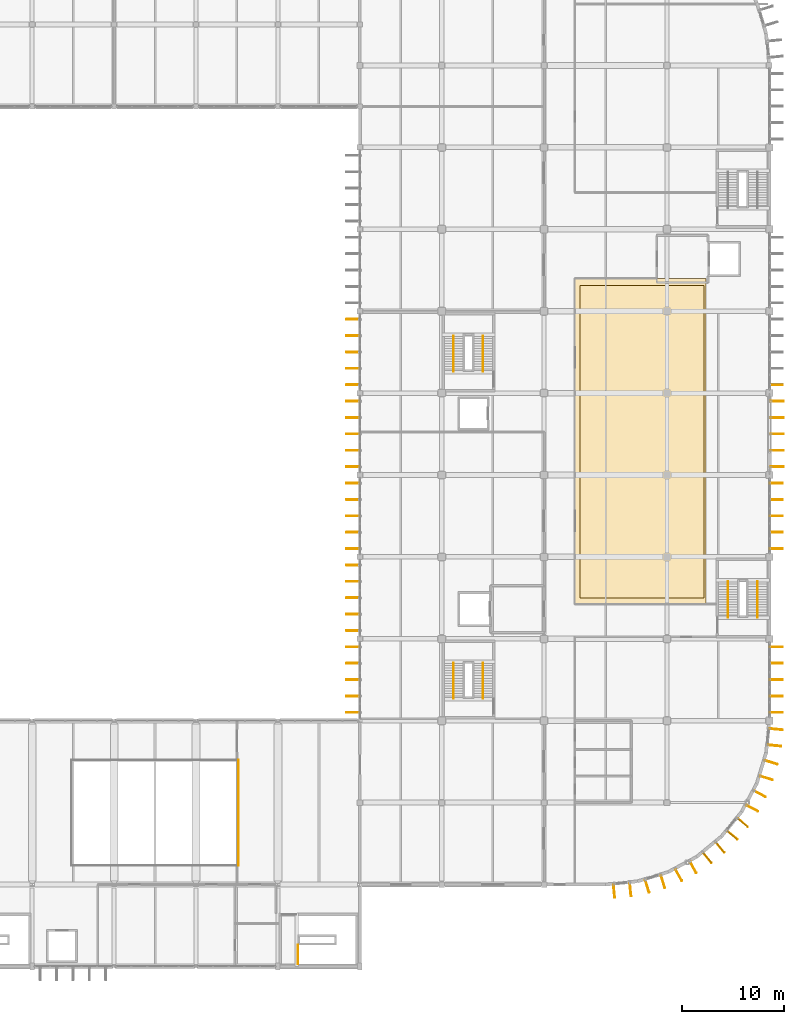
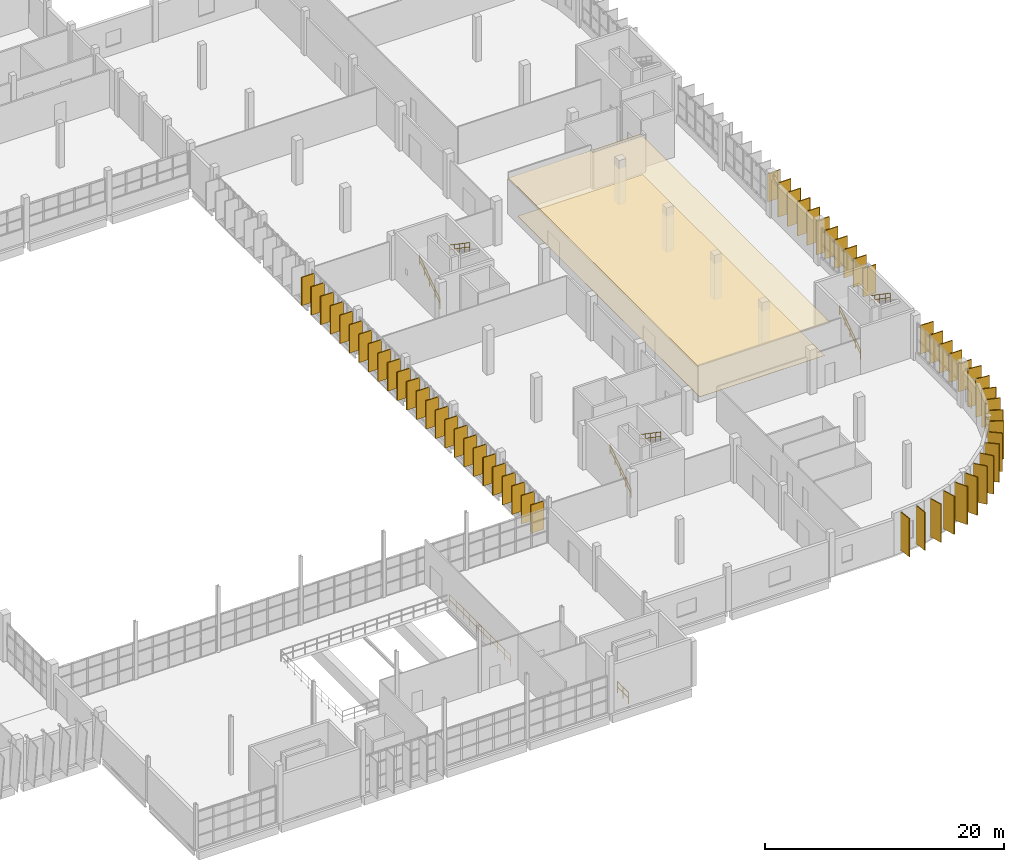
# One storey, part 92 of 93: 58 coverings, 57 shading devices, 8 railings.
"""IFC4 building model written with IfcOpenShell, lengths in metres."""

from ifc_helpers import new_model, si_unit, direction, frame, origin, origin_2d, place, context, subcontext, project, spatial, polyline, rectangle, circle, outline, extrude, material, layer, layer_set, type_object, element, save


model = new_model("IFC4")

# Units and contexts
model_context = context("Model", 3, precision=1e-05, world=origin(), true_north=direction((0.0, 1.0)))
body_context = subcontext(model_context, "Body", "Model", "MODEL_VIEW")
ifc_project = project(units=[si_unit("LENGTHUNIT", "METRE"), si_unit("AREAUNIT", "SQUARE_METRE"), si_unit("VOLUMEUNIT", "CUBIC_METRE"), si_unit("PLANEANGLEUNIT", "RADIAN"), si_unit("MASSUNIT", "GRAM", prefix="KILO")], contexts=[model_context])

# Site, building, storey
site_placement = place(None, origin())
site = spatial("IfcSite", under=ifc_project, at=site_placement, CompositionType="ELEMENT")
building_placement = place(site_placement, origin())
building = spatial("IfcBuilding", under=site, at=building_placement, Name="Drelvana Railside Aquatics Centre", CompositionType="ELEMENT")
storey_placement = place(building_placement, frame((0.0, 0.0, 5.39990234375)))
storey = spatial("IfcBuildingStorey", under=building, at=storey_placement, Name="L01", CompositionType="ELEMENT", Elevation=5.39990234375)

# Coverings
ifc_material_1 = material(Name="Moisture-resistant perforated acoustic timber ceiling", Category="wood")
ifc_layer_1 = layer(ifc_material_1, 0.034912109375, Name="Moisture-resistant perforated acoustic timber ceiling")
ifc_layer_set_1 = layer_set([ifc_layer_1], Name="Moisture-resistant perforated acoustic timber ceiling")
covering_type_1 = type_object("IfcCoveringType", Name="COV-CEIL-ACOUSTIC", PredefinedType="CEILING", material=ifc_layer_set_1)
covering_1_placement = place(storey_placement, frame((0.0, 0.0, 3.650146484375)))
element("IfcCovering", 1, at=covering_1_placement, inside=storey, type_object=covering_type_1, Name="Fitness Gymnasium acoustic ceiling", PredefinedType="CEILING", context=body_context, shape_type="SweptSolid", body=[
    extrude(outline(polyline([(165.0, 35.39990234375), (177.800048828125, 35.39990234375), (177.800048828125, 67.199951171875), (165.0, 67.199951171875), (165.0, 35.39990234375)])), origin(), (0.0, 0.0, 1.0), 0.034912109375),
])
ifc_material_2 = material(Name="Bronze-anodised extruded aluminium 6063-T6", Category="aluminium")
covering_type_2 = type_object("IfcCoveringType", Name="COV-FIN-ALU", PredefinedType="CLADDING", material=ifc_material_2)
for number, where, z_axis, x_axis, name in (
    (2, (143.330078125, 24.800048828125, 0.85009765625), (0.0, 0.0, 1.0), (0.0, 1.0, 0.0), "Vertical aluminium fin cladding CF-0546"),
    (3, (143.330078125, 26.39990234375, 0.85009765625), (0.0, 0.0, 1.0), (0.0, 1.0, 0.0), "Vertical aluminium fin cladding CF-0547"),
    (4, (143.330078125, 28.0, 0.85009765625), (0.0, 0.0, 1.0), (0.0, 1.0, 0.0), "Vertical aluminium fin cladding CF-0548"),
    (5, (143.330078125, 29.60009765625, 0.85009765625), (0.0, 0.0, 1.0), (0.0, 1.0, 0.0), "Vertical aluminium fin cladding CF-0549"),
    (6, (143.330078125, 31.199951171875, 0.85009765625), (0.0, 0.0, 1.0), (0.0, 1.0, 0.0), "Vertical aluminium fin cladding CF-0550"),
    (7, (143.330078125, 32.800048828125, 0.85009765625), (0.0, 0.0, 1.0), (0.0, 1.0, 0.0), "Vertical aluminium fin cladding CF-0566"),
    (8, (143.330078125, 34.39990234375, 0.85009765625), (0.0, 0.0, 1.0), (0.0, 1.0, 0.0), "Vertical aluminium fin cladding CF-0567"),
    (9, (143.330078125, 36.0, 0.85009765625), (0.0, 0.0, 1.0), (0.0, 1.0, 0.0), "Vertical aluminium fin cladding CF-0568"),
    (10, (143.330078125, 37.60009765625, 0.85009765625), (0.0, 0.0, 1.0), (0.0, 1.0, 0.0), "Vertical aluminium fin cladding CF-0569"),
    (11, (143.330078125, 39.199951171875, 0.85009765625), (0.0, 0.0, 1.0), (0.0, 1.0, 0.0), "Vertical aluminium fin cladding CF-0570"),
    (12, (143.330078125, 40.800048828125, 0.85009765625), (0.0, 0.0, 1.0), (0.0, 1.0, 0.0), "Vertical aluminium fin cladding CF-0586"),
    (13, (143.330078125, 42.39990234375, 0.85009765625), (0.0, 0.0, 1.0), (0.0, 1.0, 0.0), "Vertical aluminium fin cladding CF-0587"),
    (14, (143.330078125, 44.0, 0.85009765625), (0.0, 0.0, 1.0), (0.0, 1.0, 0.0), "Vertical aluminium fin cladding CF-0588"),
    (15, (143.330078125, 45.60009765625, 0.85009765625), (0.0, 0.0, 1.0), (0.0, 1.0, 0.0), "Vertical aluminium fin cladding CF-0589"),
    (16, (143.330078125, 47.199951171875, 0.85009765625), (0.0, 0.0, 1.0), (0.0, 1.0, 0.0), "Vertical aluminium fin cladding CF-0590"),
    (17, (143.330078125, 48.800048828125, 0.85009765625), (0.0, 0.0, 1.0), (0.0, 1.0, 0.0), "Vertical aluminium fin cladding CF-0606"),
    (18, (143.330078125, 50.39990234375, 0.85009765625), (0.0, 0.0, 1.0), (0.0, 1.0, 0.0), "Vertical aluminium fin cladding CF-0607"),
    (19, (143.330078125, 52.0, 0.85009765625), (0.0, 0.0, 1.0), (0.0, 1.0, 0.0), "Vertical aluminium fin cladding CF-0608"),
    (20, (143.330078125, 53.60009765625, 0.85009765625), (0.0, 0.0, 1.0), (0.0, 1.0, 0.0), "Vertical aluminium fin cladding CF-0609"),
    (21, (143.330078125, 55.199951171875, 0.85009765625), (0.0, 0.0, 1.0), (0.0, 1.0, 0.0), "Vertical aluminium fin cladding CF-0610"),
    (22, (143.330078125, 56.800048828125, 0.85009765625), (0.0, 0.0, 1.0), (0.0, 1.0, 0.0), "Vertical aluminium fin cladding CF-0621"),
    (23, (143.330078125, 58.39990234375, 0.85009765625), (0.0, 0.0, 1.0), (0.0, 1.0, 0.0), "Vertical aluminium fin cladding CF-0622"),
    (24, (143.330078125, 60.0, 0.85009765625), (0.0, 0.0, 1.0), (0.0, 1.0, 0.0), "Vertical aluminium fin cladding CF-0623"),
    (25, (143.330078125, 61.60009765625, 0.85009765625), (0.0, 0.0, 1.0), (0.0, 1.0, 0.0), "Vertical aluminium fin cladding CF-0624"),
    (26, (143.330078125, 63.199951171875, 0.85009765625), (0.0, 0.0, 1.0), (0.0, 1.0, 0.0), "Vertical aluminium fin cladding CF-0625"),
    (27, (184.669921875, 24.800048828125, 0.85009765625), (0.0, 0.0, 1.0), (0.0, -1.0, 0.0), "Vertical aluminium fin cladding CF-0681"),
    (28, (184.669921875, 26.39990234375, 0.85009765625), (0.0, 0.0, 1.0), (0.0, -1.0, 0.0), "Vertical aluminium fin cladding CF-0682"),
    (29, (184.669921875, 28.0, 0.85009765625), (0.0, 0.0, 1.0), (0.0, -1.0, 0.0), "Vertical aluminium fin cladding CF-0683"),
    (30, (184.669921875, 29.60009765625, 0.85009765625), (0.0, 0.0, 1.0), (0.0, -1.0, 0.0), "Vertical aluminium fin cladding CF-0684"),
    (31, (184.669921875, 31.199951171875, 0.85009765625), (0.0, 0.0, 1.0), (0.0, -1.0, 0.0), "Vertical aluminium fin cladding CF-0685"),
    (32, (184.669921875, 40.800048828125, 0.85009765625), (0.0, 0.0, 1.0), (0.0, -1.0, 0.0), "Vertical aluminium fin cladding CF-0706"),
    (33, (184.669921875, 42.39990234375, 0.85009765625), (0.0, 0.0, 1.0), (0.0, -1.0, 0.0), "Vertical aluminium fin cladding CF-0707"),
    (34, (184.669921875, 44.0, 0.85009765625), (0.0, 0.0, 1.0), (0.0, -1.0, 0.0), "Vertical aluminium fin cladding CF-0708"),
    (35, (184.669921875, 45.60009765625, 0.85009765625), (0.0, 0.0, 1.0), (0.0, -1.0, 0.0), "Vertical aluminium fin cladding CF-0709"),
    (36, (184.669921875, 47.199951171875, 0.85009765625), (0.0, 0.0, 1.0), (0.0, -1.0, 0.0), "Vertical aluminium fin cladding CF-0710"),
):
    element("IfcCovering", number, at=place(storey_placement, frame(where, z_axis=z_axis, x_axis=x_axis)), inside=storey, type_object=covering_type_2, Name=name, PredefinedType="CLADDING", context=body_context, shape_type="SweptSolid", body=[
        extrude(rectangle(XDim=0.0849609375, YDim=1.25, at=origin_2d()), origin(), (0.0, 0.0, 1.0), 2.89990234375),
    ])
for number, where, z_axis, x_axis, name in (
    (37, (184.77490234375, 48.800048828125, 0.25), (0.0, 0.0, 1.0), (0.0, -1.0, 0.0), "Vertical aluminium fin cladding CF-0731"),
    (38, (184.77490234375, 50.39990234375, 0.25), (0.0, 0.0, 1.0), (0.0, -1.0, 0.0), "Vertical aluminium fin cladding CF-0732"),
    (39, (184.77490234375, 52.0, 0.25), (0.0, 0.0, 1.0), (0.0, -1.0, 0.0), "Vertical aluminium fin cladding CF-0733"),
    (40, (184.77490234375, 53.60009765625, 0.25), (0.0, 0.0, 1.0), (0.0, -1.0, 0.0), "Vertical aluminium fin cladding CF-0734"),
    (41, (184.77490234375, 55.199951171875, 0.25), (0.0, 0.0, 1.0), (0.0, -1.0, 0.0), "Vertical aluminium fin cladding CF-0735"),
):
    element("IfcCovering", number, at=place(storey_placement, frame(where, z_axis=z_axis, x_axis=x_axis)), inside=storey, type_object=covering_type_2, Name=name, PredefinedType="CLADDING", context=body_context, shape_type="SweptSolid", body=[
        extrude(rectangle(XDim=0.0849609375, YDim=1.25, at=origin_2d()), origin(), (0.0, 0.0, 1.0), 3.5),
    ])
for number, where, z_axis, x_axis, name in (
    (42, (168.836669921875, 7.34375, 0.250244140625), (0.0, 0.0, 1.0), (-0.995184726672, -0.09801714033, 0.0), "Vertical aluminium fin cladding CF-0823"),
    (43, (170.428955078125, 7.500732421875, 0.250244140625), (0.0, 0.0, 1.0), (-0.995184726672, -0.09801714033, 0.0), "Vertical aluminium fin cladding CF-0824"),
    (44, (172.070068359375, 7.8271484375, 0.250244140625), (0.0, 0.0, 1.0), (-0.956940335732, -0.290284677254, 0.0), "Vertical aluminium fin cladding CF-0829"),
    (45, (173.60107421875, 8.29150390625, 0.250244140625), (0.0, 0.0, 1.0), (-0.956940335732, -0.290284677254, 0.0), "Vertical aluminium fin cladding CF-0830"),
    (46, (175.14697265625, 8.931884765625, 0.250244140625), (0.0, 0.0, 1.0), (-0.881921264348, -0.471396736826, 0.0), "Vertical aluminium fin cladding CF-0835"),
    (47, (176.55810546875, 9.68603515625, 0.250244140625), (0.0, 0.0, 1.0), (-0.881921264348, -0.471396736826, 0.0), "Vertical aluminium fin cladding CF-0836"),
    (48, (177.94921875, 10.61572265625, 0.250244140625), (0.0, 0.0, 1.0), (-0.773010453363, -0.634393284164, 0.0), "Vertical aluminium fin cladding CF-0841"),
    (49, (179.18603515625, 11.630615234375, 0.250244140625), (0.0, 0.0, 1.0), (-0.773010453363, -0.634393284164, 0.0), "Vertical aluminium fin cladding CF-0842"),
    (50, (180.369384765625, 12.81396484375, 0.250244140625), (0.0, 0.0, 1.0), (-0.634393284164, -0.773010453363, 0.0), "Vertical aluminium fin cladding CF-0847"),
    (51, (181.38427734375, 14.05078125, 0.250244140625), (0.0, 0.0, 1.0), (-0.634393284164, -0.773010453363, 0.0), "Vertical aluminium fin cladding CF-0848"),
    (52, (182.31396484375, 15.44189453125, 0.250244140625), (0.0, 0.0, 1.0), (-0.471396736826, -0.881921264348, 0.0), "Vertical aluminium fin cladding CF-0853"),
    (53, (183.068115234375, 16.85302734375, 0.250244140625), (0.0, 0.0, 1.0), (-0.471396736826, -0.881921264348, 0.0), "Vertical aluminium fin cladding CF-0854"),
    (54, (183.70849609375, 18.39892578125, 0.250244140625), (0.0, 0.0, 1.0), (-0.290284677254, -0.956940335732, 0.0), "Vertical aluminium fin cladding CF-0859"),
    (55, (184.1728515625, 19.929931640625, 0.250244140625), (0.0, 0.0, 1.0), (-0.290284677254, -0.956940335732, 0.0), "Vertical aluminium fin cladding CF-0860"),
    (56, (184.499267578125, 21.571044921875, 0.250244140625), (0.0, 0.0, 1.0), (-0.09801714033, -0.995184726672, 0.0), "Vertical aluminium fin cladding CF-0865"),
    (57, (184.65625, 23.163330078125, 0.250244140625), (0.0, 0.0, 1.0), (-0.09801714033, -0.995184726672, 0.0), "Vertical aluminium fin cladding CF-0866"),
):
    element("IfcCovering", number, at=place(storey_placement, frame(where, z_axis=z_axis, x_axis=x_axis)), inside=storey, type_object=covering_type_2, Name=name, PredefinedType="CLADDING", context=body_context, shape_type="SweptSolid", body=[
        extrude(rectangle(XDim=0.0849609375, YDim=1.25, at=origin_2d()), origin(), (0.0, 0.0, 1.0), 3.89990234375),
    ])
ifc_material_3 = material(Name="Slip-resistant vitrified ceramic pool deck tile", Category="masonry")
ifc_layer_2 = layer(ifc_material_3, 0.02490234375, Name="Slip-resistant vitrified ceramic pool deck tile")
ifc_layer_set_2 = layer_set([ifc_layer_2], Name="Slip-resistant vitrified ceramic pool deck tile")
covering_type_3 = type_object("IfcCoveringType", Name="COV-FLOR-ANTISLIP", PredefinedType="FLOORING", material=ifc_layer_set_2)
covering_2_placement = place(storey_placement, origin())
element("IfcCovering", 58, at=covering_2_placement, inside=storey, type_object=covering_type_3, Name="Fitness Gymnasium shock-absorbing sports flooring", PredefinedType="FLOORING", context=body_context, shape_type="SweptSolid", body=[
    extrude(outline(polyline([(165.5, 36.0), (177.60009765625, 36.0), (177.60009765625, 66.5), (165.5, 66.5), (165.5, 36.0)])), origin(), (0.0, 0.0, 1.0), 0.025146484375),
])

# Railings
ifc_material_4 = material(Name="Laminated glass and bronze-stainless gallery balustrade", Category="glass")
railing_type_1 = type_object("IfcRailingType", Name="RAL-GALLERY-1150", PredefinedType="BALUSTRADE", material=ifc_material_4)
railing_1_placement = place(storey_placement, frame((132.14990234375, 9.85009765625, 0.0)))
element("IfcRailing", 59, at=railing_1_placement, inside=storey, type_object=railing_type_1, Name="Gallery balustrade 14 (L01)", PredefinedType="BALUSTRADE", context=body_context, shape_type="SweptSolid", body=[
    extrude(circle(Radius=0.02392578125, at=origin_2d()), frame((0.0, 0.0, 1.1259765625), z_axis=(0.0, 1.0, 0.0), x_axis=(-1.0, 0.0, 0.0)), (0.0, 0.0, 1.0), 10.2998046875),
    extrude(circle(Radius=0.02392578125, at=origin_2d()), frame((0.0, 0.0, 0.574951171875), z_axis=(0.0, 1.0, 0.0), x_axis=(-1.0, 0.0, 0.0)), (0.0, 0.0, 1.0), 10.2998046875),
    extrude(circle(Radius=0.02099609375, at=origin_2d()), origin(), (0.0, 0.0, 1.0), 1.101806640625),
    extrude(circle(Radius=0.02099609375, at=origin_2d()), frame((0.0, 1.14453125, 0.0)), (0.0, 0.0, 1.0), 1.101806640625),
    extrude(circle(Radius=0.02099609375, at=origin_2d()), frame((0.0, 2.288818359375, 0.0)), (0.0, 0.0, 1.0), 1.101806640625),
    extrude(circle(Radius=0.02099609375, at=origin_2d()), frame((0.0, 3.433349609375, 0.0)), (0.0, 0.0, 1.0), 1.101806640625),
    extrude(circle(Radius=0.02099609375, at=origin_2d()), frame((0.0, 4.57763671875, 0.0)), (0.0, 0.0, 1.0), 1.101806640625),
    extrude(circle(Radius=0.02099609375, at=origin_2d()), frame((0.0, 5.72216796875, 0.0)), (0.0, 0.0, 1.0), 1.101806640625),
    extrude(circle(Radius=0.02099609375, at=origin_2d()), frame((0.0, 6.866455078125, 0.0)), (0.0, 0.0, 1.0), 1.101806640625),
    extrude(circle(Radius=0.02099609375, at=origin_2d()), frame((0.0, 8.010986328125, 0.0)), (0.0, 0.0, 1.0), 1.101806640625),
    extrude(circle(Radius=0.02099609375, at=origin_2d()), frame((0.0, 9.1552734375, 0.0)), (0.0, 0.0, 1.0), 1.101806640625),
    extrude(circle(Radius=0.02099609375, at=origin_2d()), frame((0.0, 10.2998046875, 0.0)), (0.0, 0.0, 1.0), 1.101806640625),
])
ifc_material_5 = material(Name="Brushed stainless steel stair pitch handrail", Category="steel")
railing_type_2 = type_object("IfcRailingType", Name="RAL-HANDRAIL-950", PredefinedType="HANDRAIL", material=ifc_material_5)
railing_2_placement = place(storey_placement, frame((153.14990234375, 26.14990234375, 0.0)))
element("IfcRailing", 60, at=railing_2_placement, inside=storey, type_object=railing_type_2, Name="Stair ST-06 flight 1 handrail (L01)", PredefinedType="HANDRAIL", context=body_context, shape_type="SweptSolid", body=[
    extrude(circle(Radius=0.02392578125, at=origin_2d()), frame((0.0, 0.0, 0.92578125), z_axis=(0.0, 0.824712752785, 0.565551832633), x_axis=(-1.0, 0.0, 0.0)), (0.0, 0.0, 1.0), 4.243896484375),
    extrude(circle(Radius=0.02392578125, at=origin_2d()), frame((0.0, 0.0, 0.47509765625), z_axis=(0.0, 0.824712752785, 0.565551832633), x_axis=(-1.0, 0.0, 0.0)), (0.0, 0.0, 1.0), 4.243896484375),
    extrude(circle(Radius=0.02099609375, at=origin_2d()), origin(), (0.0, 0.0, 1.0), 0.90185546875),
    extrude(circle(Radius=0.02099609375, at=origin_2d()), frame((0.0, 0.875, 0.60009765625)), (0.0, 0.0, 1.0), 0.90185546875),
    extrude(circle(Radius=0.02099609375, at=origin_2d()), frame((0.0, 1.75, 1.2001953125)), (0.0, 0.0, 1.0), 0.90185546875),
    extrude(circle(Radius=0.02099609375, at=origin_2d()), frame((0.0, 2.625, 1.800048828125)), (0.0, 0.0, 1.0), 0.90185546875),
    extrude(circle(Radius=0.02099609375, at=origin_2d()), frame((0.0, 3.5, 2.400146484375)), (0.0, 0.0, 1.0), 0.90185546875),
])
railing_3_placement = place(storey_placement, frame((156.050048828125, 29.64990234375, 2.400146484375)))
element("IfcRailing", 61, at=railing_3_placement, inside=storey, type_object=railing_type_2, Name="Stair ST-06 flight 2 handrail (L01)", PredefinedType="HANDRAIL", context=body_context, shape_type="SweptSolid", body=[
    extrude(circle(Radius=0.02392578125, at=origin_2d()), frame((0.0, 0.0, 0.92578125), z_axis=(0.0, -0.824739584531, 0.5655127034), x_axis=(1.0, 0.0, 0.0)), (0.0, 0.0, 1.0), 4.24365234375),
    extrude(circle(Radius=0.02392578125, at=origin_2d()), frame((0.0, 0.0, 0.47509765625), z_axis=(0.0, -0.824739584531, 0.5655127034), x_axis=(1.0, 0.0, 0.0)), (0.0, 0.0, 1.0), 4.24365234375),
    extrude(circle(Radius=0.02099609375, at=origin_2d()), origin(), (0.0, 0.0, 1.0), 0.90185546875),
    extrude(circle(Radius=0.02099609375, at=origin_2d()), frame((0.0, -0.875, 0.60009765625)), (0.0, 0.0, 1.0), 0.90185546875),
    extrude(circle(Radius=0.02099609375, at=origin_2d()), frame((0.0, -1.75, 1.199951171875)), (0.0, 0.0, 1.0), 0.90185546875),
    extrude(circle(Radius=0.02099609375, at=origin_2d()), frame((0.0, -2.625, 1.7998046875)), (0.0, 0.0, 1.0), 0.90185546875),
    extrude(circle(Radius=0.02099609375, at=origin_2d()), frame((0.0, -3.5, 2.39990234375)), (0.0, 0.0, 1.0), 0.90185546875),
])
railing_4_placement = place(storey_placement, frame((153.159912109375, 58.090087890625, 0.0)))
element("IfcRailing", 62, at=railing_4_placement, inside=storey, type_object=railing_type_2, Name="Stair ST-08 flight 1 handrail (L01)", PredefinedType="HANDRAIL", context=body_context, shape_type="SweptSolid", body=[
    extrude(circle(Radius=0.02392578125, at=origin_2d()), frame((0.0, 0.0, 0.92578125), z_axis=(0.0, 0.824712752785, 0.565551832633), x_axis=(-1.0, 0.0, 0.0)), (0.0, 0.0, 1.0), 4.243896484375),
    extrude(circle(Radius=0.02392578125, at=origin_2d()), frame((0.0, 0.0, 0.47509765625), z_axis=(0.0, 0.824712752785, 0.565551832633), x_axis=(-1.0, 0.0, 0.0)), (0.0, 0.0, 1.0), 4.243896484375),
    extrude(circle(Radius=0.02099609375, at=origin_2d()), origin(), (0.0, 0.0, 1.0), 0.90185546875),
    extrude(circle(Radius=0.02099609375, at=origin_2d()), frame((0.0, 0.875, 0.60009765625)), (0.0, 0.0, 1.0), 0.90185546875),
    extrude(circle(Radius=0.02099609375, at=origin_2d()), frame((0.0, 1.75, 1.2001953125)), (0.0, 0.0, 1.0), 0.90185546875),
    extrude(circle(Radius=0.02099609375, at=origin_2d()), frame((0.0, 2.625, 1.800048828125)), (0.0, 0.0, 1.0), 0.90185546875),
    extrude(circle(Radius=0.02099609375, at=origin_2d()), frame((0.0, 3.5, 2.400146484375)), (0.0, 0.0, 1.0), 0.90185546875),
])
railing_5_placement = place(storey_placement, frame((156.0400390625, 61.590087890625, 2.400146484375)))
element("IfcRailing", 63, at=railing_5_placement, inside=storey, type_object=railing_type_2, Name="Stair ST-08 flight 2 handrail (L01)", PredefinedType="HANDRAIL", context=body_context, shape_type="SweptSolid", body=[
    extrude(circle(Radius=0.02392578125, at=origin_2d()), frame((0.0, 0.0, 0.92578125), z_axis=(0.0, -0.824739584531, 0.5655127034), x_axis=(1.0, 0.0, 0.0)), (0.0, 0.0, 1.0), 4.24365234375),
    extrude(circle(Radius=0.02392578125, at=origin_2d()), frame((0.0, 0.0, 0.47509765625), z_axis=(0.0, -0.824739584531, 0.5655127034), x_axis=(1.0, 0.0, 0.0)), (0.0, 0.0, 1.0), 4.24365234375),
    extrude(circle(Radius=0.02099609375, at=origin_2d()), origin(), (0.0, 0.0, 1.0), 0.90185546875),
    extrude(circle(Radius=0.02099609375, at=origin_2d()), frame((0.0, -0.875, 0.60009765625)), (0.0, 0.0, 1.0), 0.90185546875),
    extrude(circle(Radius=0.02099609375, at=origin_2d()), frame((0.0, -1.75, 1.199951171875)), (0.0, 0.0, 1.0), 0.90185546875),
    extrude(circle(Radius=0.02099609375, at=origin_2d()), frame((0.0, -2.625, 1.7998046875)), (0.0, 0.0, 1.0), 0.90185546875),
    extrude(circle(Radius=0.02099609375, at=origin_2d()), frame((0.0, -3.5, 2.39990234375)), (0.0, 0.0, 1.0), 0.90185546875),
])
railing_6_placement = place(storey_placement, frame((179.9599609375, 34.090087890625, 0.0)))
element("IfcRailing", 64, at=railing_6_placement, inside=storey, type_object=railing_type_2, Name="Stair ST-09 flight 1 handrail (L01)", PredefinedType="HANDRAIL", context=body_context, shape_type="SweptSolid", body=[
    extrude(circle(Radius=0.02392578125, at=origin_2d()), frame((0.0, 0.0, 0.92578125), z_axis=(0.0, 0.824712752785, 0.565551832633), x_axis=(-1.0, 0.0, 0.0)), (0.0, 0.0, 1.0), 4.243896484375),
    extrude(circle(Radius=0.02392578125, at=origin_2d()), frame((0.0, 0.0, 0.47509765625), z_axis=(0.0, 0.824712752785, 0.565551832633), x_axis=(-1.0, 0.0, 0.0)), (0.0, 0.0, 1.0), 4.243896484375),
    extrude(circle(Radius=0.02099609375, at=origin_2d()), origin(), (0.0, 0.0, 1.0), 0.90185546875),
    extrude(circle(Radius=0.02099609375, at=origin_2d()), frame((0.0, 0.875, 0.60009765625)), (0.0, 0.0, 1.0), 0.90185546875),
    extrude(circle(Radius=0.02099609375, at=origin_2d()), frame((0.0, 1.75, 1.2001953125)), (0.0, 0.0, 1.0), 0.90185546875),
    extrude(circle(Radius=0.02099609375, at=origin_2d()), frame((0.0, 2.625, 1.800048828125)), (0.0, 0.0, 1.0), 0.90185546875),
    extrude(circle(Radius=0.02099609375, at=origin_2d()), frame((0.0, 3.5, 2.400146484375)), (0.0, 0.0, 1.0), 0.90185546875),
])
railing_7_placement = place(storey_placement, frame((182.840087890625, 37.590087890625, 2.400146484375)))
element("IfcRailing", 65, at=railing_7_placement, inside=storey, type_object=railing_type_2, Name="Stair ST-09 flight 2 handrail (L01)", PredefinedType="HANDRAIL", context=body_context, shape_type="SweptSolid", body=[
    extrude(circle(Radius=0.02392578125, at=origin_2d()), frame((0.0, 0.0, 0.92578125), z_axis=(0.0, -0.824739584531, 0.5655127034), x_axis=(1.0, 0.0, 0.0)), (0.0, 0.0, 1.0), 4.24365234375),
    extrude(circle(Radius=0.02392578125, at=origin_2d()), frame((0.0, 0.0, 0.47509765625), z_axis=(0.0, -0.824739584531, 0.5655127034), x_axis=(1.0, 0.0, 0.0)), (0.0, 0.0, 1.0), 4.24365234375),
    extrude(circle(Radius=0.02099609375, at=origin_2d()), origin(), (0.0, 0.0, 1.0), 0.90185546875),
    extrude(circle(Radius=0.02099609375, at=origin_2d()), frame((0.0, -0.875, 0.60009765625)), (0.0, 0.0, 1.0), 0.90185546875),
    extrude(circle(Radius=0.02099609375, at=origin_2d()), frame((0.0, -1.75, 1.199951171875)), (0.0, 0.0, 1.0), 0.90185546875),
    extrude(circle(Radius=0.02099609375, at=origin_2d()), frame((0.0, -2.625, 1.7998046875)), (0.0, 0.0, 1.0), 0.90185546875),
    extrude(circle(Radius=0.02099609375, at=origin_2d()), frame((0.0, -3.5, 2.39990234375)), (0.0, 0.0, 1.0), 0.90185546875),
])
ifc_material_6 = material(Name="Brushed stainless steel stairwell guard", Category="steel")
railing_type_3 = type_object("IfcRailingType", Name="RAL-STAIR-1150", PredefinedType="GUARDRAIL", material=ifc_material_6)
railing_8_placement = place(storey_placement, frame((137.969970703125, 0.25, 0.0)))
element("IfcRailing", 66, at=railing_8_placement, inside=storey, type_object=railing_type_3, Name="Stair ST-10 top landing guard", PredefinedType="GUARDRAIL", context=body_context, shape_type="SweptSolid", body=[
    extrude(circle(Radius=0.02392578125, at=origin_2d()), frame((0.0, 0.0, 1.1259765625), z_axis=(0.0, 1.0, 0.0), x_axis=(-1.0, 0.0, 0.0)), (0.0, 0.0, 1.0), 1.85009765625),
    extrude(circle(Radius=0.02392578125, at=origin_2d()), frame((0.0, 0.0, 0.574951171875), z_axis=(0.0, 1.0, 0.0), x_axis=(-1.0, 0.0, 0.0)), (0.0, 0.0, 1.0), 1.85009765625),
    extrude(circle(Radius=0.02099609375, at=origin_2d()), origin(), (0.0, 0.0, 1.0), 1.101806640625),
    extrude(circle(Radius=0.02099609375, at=origin_2d()), frame((0.0, 0.925048828125, 0.0)), (0.0, 0.0, 1.0), 1.101806640625),
    extrude(circle(Radius=0.02099609375, at=origin_2d()), frame((0.0, 1.85009765625, 0.0)), (0.0, 0.0, 1.0), 1.101806640625),
])

# Shading devices
shading_device_type = type_object("IfcShadingDeviceType", Name="SHD-FIN-1250", PredefinedType="USERDEFINED", material=ifc_material_2)
for number, where, z_axis, x_axis, name in (
    (67, (143.31005859375, 24.800048828125, 0.85009765625), (0.0, 0.0, 1.0), (-1.0, 0.0, 0.0), "Vertical bronze shading fin FN-0553"),
    (68, (143.31005859375, 26.39990234375, 0.85009765625), (0.0, 0.0, 1.0), (-1.0, 0.0, 0.0), "Vertical bronze shading fin FN-0554"),
    (69, (143.31005859375, 28.0, 0.85009765625), (0.0, 0.0, 1.0), (-1.0, 0.0, 0.0), "Vertical bronze shading fin FN-0555"),
    (70, (143.31005859375, 29.60009765625, 0.85009765625), (0.0, 0.0, 1.0), (-1.0, 0.0, 0.0), "Vertical bronze shading fin FN-0556"),
    (71, (143.31005859375, 31.199951171875, 0.85009765625), (0.0, 0.0, 1.0), (-1.0, 0.0, 0.0), "Vertical bronze shading fin FN-0557"),
    (72, (143.31005859375, 32.800048828125, 0.85009765625), (0.0, 0.0, 1.0), (-1.0, 0.0, 0.0), "Vertical bronze shading fin FN-0573"),
    (73, (143.31005859375, 34.39990234375, 0.85009765625), (0.0, 0.0, 1.0), (-1.0, 0.0, 0.0), "Vertical bronze shading fin FN-0574"),
    (74, (143.31005859375, 36.0, 0.85009765625), (0.0, 0.0, 1.0), (-1.0, 0.0, 0.0), "Vertical bronze shading fin FN-0575"),
    (75, (143.31005859375, 37.60009765625, 0.85009765625), (0.0, 0.0, 1.0), (-1.0, 0.0, 0.0), "Vertical bronze shading fin FN-0576"),
    (76, (143.31005859375, 39.199951171875, 0.85009765625), (0.0, 0.0, 1.0), (-1.0, 0.0, 0.0), "Vertical bronze shading fin FN-0577"),
    (77, (143.31005859375, 40.800048828125, 0.85009765625), (0.0, 0.0, 1.0), (-1.0, 0.0, 0.0), "Vertical bronze shading fin FN-0593"),
    (78, (143.31005859375, 42.39990234375, 0.85009765625), (0.0, 0.0, 1.0), (-1.0, 0.0, 0.0), "Vertical bronze shading fin FN-0594"),
    (79, (143.31005859375, 44.0, 0.85009765625), (0.0, 0.0, 1.0), (-1.0, 0.0, 0.0), "Vertical bronze shading fin FN-0595"),
    (80, (143.31005859375, 45.60009765625, 0.85009765625), (0.0, 0.0, 1.0), (-1.0, 0.0, 0.0), "Vertical bronze shading fin FN-0596"),
    (81, (143.31005859375, 47.199951171875, 0.85009765625), (0.0, 0.0, 1.0), (-1.0, 0.0, 0.0), "Vertical bronze shading fin FN-0597"),
    (82, (143.31005859375, 48.800048828125, 0.85009765625), (0.0, 0.0, 1.0), (-1.0, 0.0, 0.0), "Vertical bronze shading fin FN-0613"),
    (83, (143.31005859375, 50.39990234375, 0.85009765625), (0.0, 0.0, 1.0), (-1.0, 0.0, 0.0), "Vertical bronze shading fin FN-0614"),
    (84, (143.31005859375, 52.0, 0.85009765625), (0.0, 0.0, 1.0), (-1.0, 0.0, 0.0), "Vertical bronze shading fin FN-0615"),
    (85, (143.31005859375, 53.60009765625, 0.85009765625), (0.0, 0.0, 1.0), (-1.0, 0.0, 0.0), "Vertical bronze shading fin FN-0616"),
    (86, (143.31005859375, 55.199951171875, 0.85009765625), (0.0, 0.0, 1.0), (-1.0, 0.0, 0.0), "Vertical bronze shading fin FN-0617"),
    (87, (143.31005859375, 56.800048828125, 0.85009765625), (0.0, 0.0, 1.0), (-1.0, 0.0, 0.0), "Vertical bronze shading fin FN-0628"),
    (88, (143.31005859375, 58.39990234375, 0.85009765625), (0.0, 0.0, 1.0), (-1.0, 0.0, 0.0), "Vertical bronze shading fin FN-0629"),
    (89, (143.31005859375, 60.0, 0.85009765625), (0.0, 0.0, 1.0), (-1.0, 0.0, 0.0), "Vertical bronze shading fin FN-0630"),
    (90, (143.31005859375, 61.60009765625, 0.85009765625), (0.0, 0.0, 1.0), (-1.0, 0.0, 0.0), "Vertical bronze shading fin FN-0631"),
    (91, (143.31005859375, 63.199951171875, 0.85009765625), (0.0, 0.0, 1.0), (-1.0, 0.0, 0.0), "Vertical bronze shading fin FN-0632"),
    (92, (184.68994140625, 24.800048828125, 0.85009765625), (0.0, 0.0, 1.0), (1.0, 0.0, 0.0), "Vertical bronze shading fin FN-0688"),
    (93, (184.68994140625, 26.39990234375, 0.85009765625), (0.0, 0.0, 1.0), (1.0, 0.0, 0.0), "Vertical bronze shading fin FN-0689"),
    (94, (184.68994140625, 28.0, 0.85009765625), (0.0, 0.0, 1.0), (1.0, 0.0, 0.0), "Vertical bronze shading fin FN-0690"),
    (95, (184.68994140625, 29.60009765625, 0.85009765625), (0.0, 0.0, 1.0), (1.0, 0.0, 0.0), "Vertical bronze shading fin FN-0691"),
    (96, (184.68994140625, 31.199951171875, 0.85009765625), (0.0, 0.0, 1.0), (1.0, 0.0, 0.0), "Vertical bronze shading fin FN-0692"),
    (97, (184.68994140625, 40.800048828125, 0.85009765625), (0.0, 0.0, 1.0), (1.0, 0.0, 0.0), "Vertical bronze shading fin FN-0713"),
    (98, (184.68994140625, 42.39990234375, 0.85009765625), (0.0, 0.0, 1.0), (1.0, 0.0, 0.0), "Vertical bronze shading fin FN-0714"),
    (99, (184.68994140625, 44.0, 0.85009765625), (0.0, 0.0, 1.0), (1.0, 0.0, 0.0), "Vertical bronze shading fin FN-0715"),
    (100, (184.68994140625, 45.60009765625, 0.85009765625), (0.0, 0.0, 1.0), (1.0, 0.0, 0.0), "Vertical bronze shading fin FN-0716"),
    (101, (184.68994140625, 47.199951171875, 0.85009765625), (0.0, 0.0, 1.0), (1.0, 0.0, 0.0), "Vertical bronze shading fin FN-0717"),
):
    element("IfcShadingDevice", number, at=place(storey_placement, frame(where, z_axis=z_axis, x_axis=x_axis)), inside=storey, type_object=shading_device_type, Name=name, ObjectType="FIN", PredefinedType="USERDEFINED", context=body_context, shape_type="SweptSolid", body=[
        extrude(rectangle(XDim=1.25, YDim=0.06494140625, at=origin_2d()), origin(), (0.0, 0.0, 1.0), 2.89990234375),
    ])
for number, where, z_axis, x_axis, name in (
    (102, (184.794921875, 48.800048828125, 0.25), (0.0, 0.0, 1.0), (1.0, 0.0, 0.0), "Vertical bronze shading fin FN-0738"),
    (103, (184.794921875, 50.39990234375, 0.25), (0.0, 0.0, 1.0), (1.0, 0.0, 0.0), "Vertical bronze shading fin FN-0739"),
    (104, (184.794921875, 52.0, 0.25), (0.0, 0.0, 1.0), (1.0, 0.0, 0.0), "Vertical bronze shading fin FN-0740"),
    (105, (184.794921875, 53.60009765625, 0.25), (0.0, 0.0, 1.0), (1.0, 0.0, 0.0), "Vertical bronze shading fin FN-0741"),
    (106, (184.794921875, 55.199951171875, 0.25), (0.0, 0.0, 1.0), (1.0, 0.0, 0.0), "Vertical bronze shading fin FN-0742"),
):
    element("IfcShadingDevice", number, at=place(storey_placement, frame(where, z_axis=z_axis, x_axis=x_axis)), inside=storey, type_object=shading_device_type, Name=name, ObjectType="FIN", PredefinedType="USERDEFINED", context=body_context, shape_type="SweptSolid", body=[
        extrude(rectangle(XDim=1.25, YDim=0.06494140625, at=origin_2d()), origin(), (0.0, 0.0, 1.0), 3.5),
    ])
shading_device_placement = place(storey_placement, frame((184.68994140625, 56.800048828125, 0.85009765625), z_axis=(0.0, 0.0, 1.0), x_axis=(1.0, 0.0, 0.0)))
element("IfcShadingDevice", 107, at=shading_device_placement, inside=storey, type_object=shading_device_type, Name="Vertical bronze shading fin FN-0763", ObjectType="FIN", PredefinedType="USERDEFINED", context=body_context, shape_type="SweptSolid", body=[
    extrude(rectangle(XDim=1.25, YDim=0.06494140625, at=origin_2d()), origin(), (0.0, 0.0, 1.0), 2.89990234375),
])
for number, where, z_axis, x_axis, name in (
    (108, (168.838623046875, 7.323974609375, 0.250244140625), (0.0, 0.0, 1.0), (0.09801714033, -0.995184726672, 0.0), "Vertical bronze shading fin FN-0830"),
    (109, (170.430908203125, 7.480712890625, 0.250244140625), (0.0, 0.0, 1.0), (0.09801714033, -0.995184726672, 0.0), "Vertical bronze shading fin FN-0831"),
    (110, (172.07568359375, 7.80810546875, 0.250244140625), (0.0, 0.0, 1.0), (0.290284677254, -0.956940335732, 0.0), "Vertical bronze shading fin FN-0836"),
    (111, (173.60693359375, 8.2724609375, 0.250244140625), (0.0, 0.0, 1.0), (0.290284677254, -0.956940335732, 0.0), "Vertical bronze shading fin FN-0837"),
    (112, (175.156494140625, 8.914306640625, 0.250244140625), (0.0, 0.0, 1.0), (0.471396736826, -0.881921264348, 0.0), "Vertical bronze shading fin FN-0842"),
    (113, (176.5673828125, 9.66845703125, 0.250244140625), (0.0, 0.0, 1.0), (0.471396736826, -0.881921264348, 0.0), "Vertical bronze shading fin FN-0843"),
    (114, (177.9619140625, 10.600341796875, 0.250244140625), (0.0, 0.0, 1.0), (0.634393284164, -0.773010453363, 0.0), "Vertical bronze shading fin FN-0848"),
    (115, (179.19873046875, 11.615234375, 0.250244140625), (0.0, 0.0, 1.0), (0.634393284164, -0.773010453363, 0.0), "Vertical bronze shading fin FN-0849"),
    (116, (180.384765625, 12.80126953125, 0.250244140625), (0.0, 0.0, 1.0), (0.773010453363, -0.634393284164, 0.0), "Vertical bronze shading fin FN-0854"),
    (117, (181.399658203125, 14.0380859375, 0.250244140625), (0.0, 0.0, 1.0), (0.773010453363, -0.634393284164, 0.0), "Vertical bronze shading fin FN-0855"),
    (118, (182.33154296875, 15.4326171875, 0.250244140625), (0.0, 0.0, 1.0), (0.881921264348, -0.471396736826, 0.0), "Vertical bronze shading fin FN-0860"),
    (119, (183.085693359375, 16.843505859375, 0.250244140625), (0.0, 0.0, 1.0), (0.881921264348, -0.471396736826, 0.0), "Vertical bronze shading fin FN-0861"),
    (120, (183.7275390625, 18.39306640625, 0.250244140625), (0.0, 0.0, 1.0), (0.956940335732, -0.290284677254, 0.0), "Vertical bronze shading fin FN-0866"),
    (121, (184.19189453125, 19.92431640625, 0.250244140625), (0.0, 0.0, 1.0), (0.956940335732, -0.290284677254, 0.0), "Vertical bronze shading fin FN-0867"),
    (122, (184.519287109375, 21.569091796875, 0.250244140625), (0.0, 0.0, 1.0), (0.995184726672, -0.09801714033, 0.0), "Vertical bronze shading fin FN-0872"),
    (123, (184.676025390625, 23.161376953125, 0.250244140625), (0.0, 0.0, 1.0), (0.995184726672, -0.09801714033, 0.0), "Vertical bronze shading fin FN-0873"),
):
    element("IfcShadingDevice", number, at=place(storey_placement, frame(where, z_axis=z_axis, x_axis=x_axis)), inside=storey, type_object=shading_device_type, Name=name, ObjectType="FIN", PredefinedType="USERDEFINED", context=body_context, shape_type="SweptSolid", body=[
        extrude(rectangle(XDim=1.25, YDim=0.06494140625, at=origin_2d()), origin(), (0.0, 0.0, 1.0), 3.89990234375),
    ])

save(model, "model.ifc")
